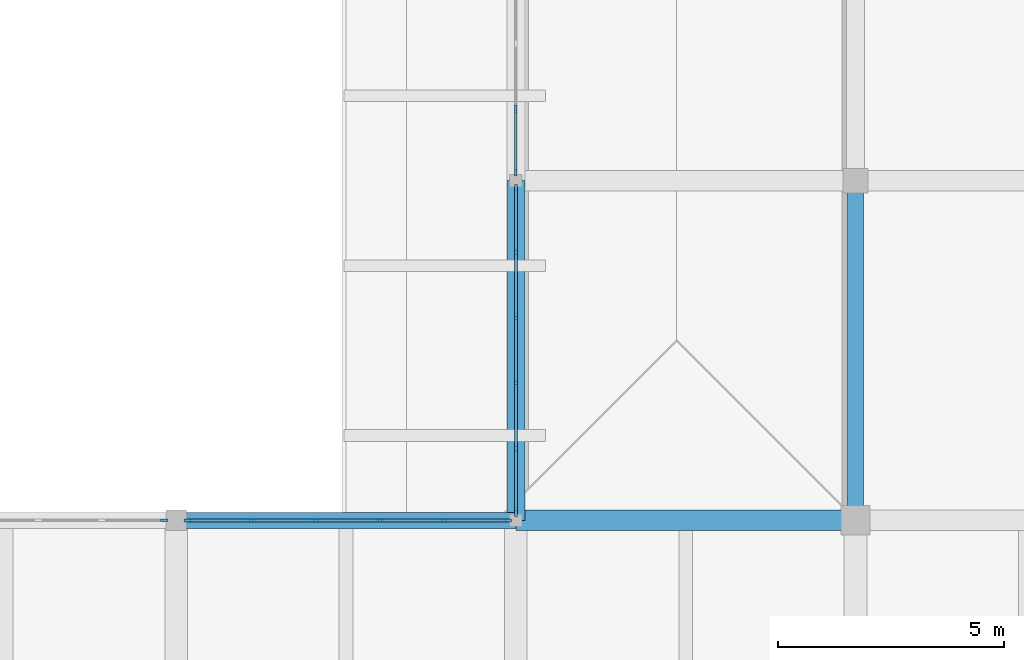
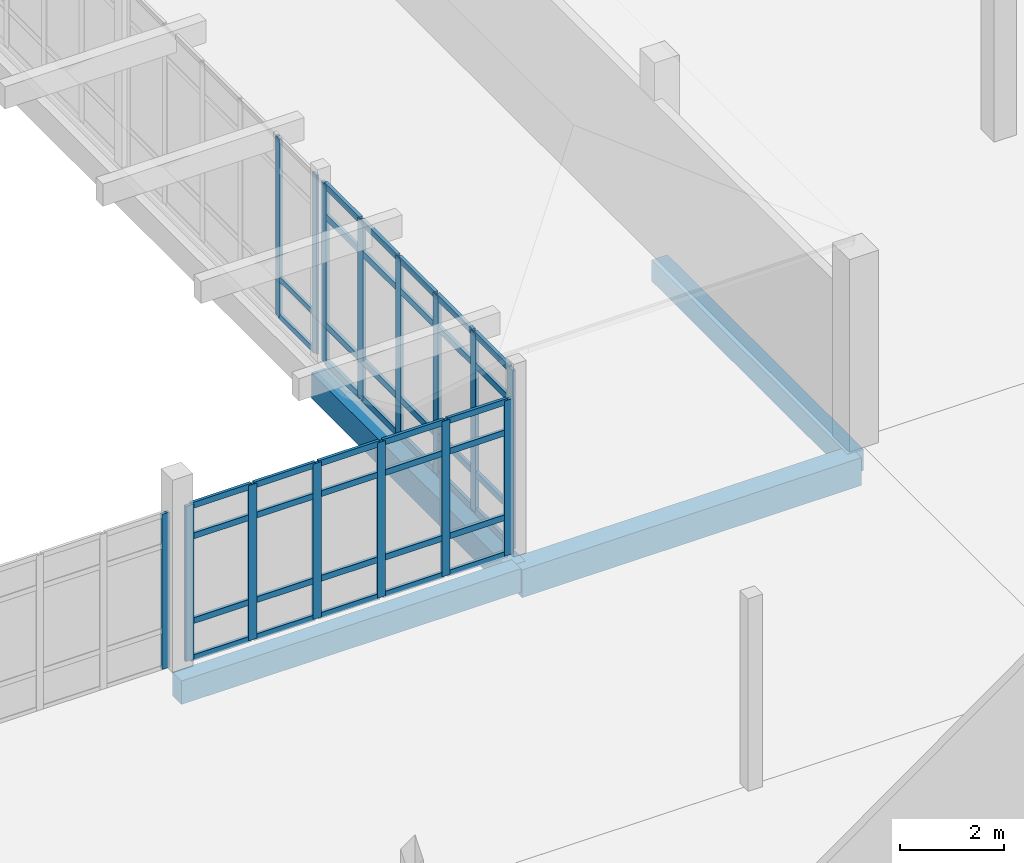
# One storey, part 60 of 128: 57 members, 4 beams, 4 elements without a shape of their own.
"""IFC4 building model written with IfcOpenShell, lengths in metres."""

from ifc_helpers import new_model, si_unit, direction, frame, origin, origin_2d, place, context, subcontext, project, spatial, rectangle, extrude, material, layer, layer_set, material_profile, profile_set, type_object, element, aggregate, save


model = new_model("IFC4")

# Units and contexts
model_context = context("Model", 3, precision=1e-05, world=origin(), true_north=direction((0.0, 1.0)))
body_context = subcontext(model_context, "Body", "Model", "MODEL_VIEW")
ifc_project = project(units=[si_unit("LENGTHUNIT", "METRE"), si_unit("AREAUNIT", "SQUARE_METRE"), si_unit("VOLUMEUNIT", "CUBIC_METRE"), si_unit("PLANEANGLEUNIT", "RADIAN"), si_unit("MASSUNIT", "GRAM", prefix="KILO")], contexts=[model_context])

# Site, building, storey
site_placement = place(None, origin())
site = spatial("IfcSite", under=ifc_project, at=site_placement, CompositionType="ELEMENT")
building_placement = place(site_placement, origin())
building = spatial("IfcBuilding", under=site, at=building_placement, Name="Dalvernix Boulevard General Hospital", CompositionType="ELEMENT")
storey_placement = place(building_placement, frame((0.0, 0.0, 4.800048828125)))
storey = spatial("IfcBuildingStorey", under=building, at=storey_placement, Name="L01", CompositionType="ELEMENT", Elevation=4.800048828125)

# Beams
ifc_material_1 = material(Name="Concrete C35/45", Category="concrete")
ifc_material_profile_1 = material_profile(ifc_material_1, rectangle(XDim=0.449951171875, YDim=0.64990234375, at=origin_2d()), Name="RCB 450x650")
ifc_profile_set_1 = profile_set([ifc_material_profile_1], Name="Concrete C35/45")
beam_type_1 = type_object("IfcBeamType", Name="BM-B-03-I", PredefinedType="BEAM", material=ifc_profile_set_1)
beam_1_placement = place(storey_placement, frame((135.0, 31.5, -0.625), z_axis=(1.0, 0.0, 0.0), x_axis=(0.0, 1.0, 0.0)))
element("IfcBeam", 1, at=beam_1_placement, inside=storey, type_object=beam_type_1, Name="L01 E-W girder E:19-20", PredefinedType="BEAM", context=body_context, shape_type="SweptSolid", body=[
    extrude(rectangle(XDim=0.449951171875, YDim=0.64990234375, at=origin_2d()), origin(), (0.0, 0.0, 1.0), 7.5),
])
ifc_material_profile_2 = material_profile(ifc_material_1, rectangle(XDim=0.35009765625, YDim=0.5, at=origin_2d()), Name="RCB 350x500")
ifc_profile_set_2 = profile_set([ifc_material_profile_2], Name="Concrete C35/45")
beam_type_2 = type_object("IfcBeamType", Name="BM-B-08-I", PredefinedType="BEAM", material=ifc_profile_set_2)
beam_2_placement = place(storey_placement, frame((142.5, 31.5, -0.550048828125), z_axis=(0.0, 1.0, 0.0), x_axis=(-1.0, 0.0, 0.0)))
element("IfcBeam", 2, at=beam_2_placement, inside=storey, type_object=beam_type_2, Name="L01 N-S girder 20:E-F", PredefinedType="BEAM", context=body_context, shape_type="SweptSolid", body=[
    extrude(rectangle(XDim=0.35009765625, YDim=0.5, at=origin_2d()), origin(), (0.0, 0.0, 1.0), 7.5),
])
ifc_material_profile_3 = material_profile(ifc_material_1, rectangle(XDim=0.35009765625, YDim=0.550048828125, at=origin_2d()), Name="RCB 350x550")
ifc_profile_set_3 = profile_set([ifc_material_profile_3], Name="Concrete C35/45")
beam_type_3 = type_object("IfcBeamType", Name="BM-SB-01-E", PredefinedType="SPANDREL", material=ifc_profile_set_3)
beam_3_placement = place(storey_placement, frame((127.5, 31.5, -0.574951171875), z_axis=(1.0, 0.0, 0.0), x_axis=(0.0, 1.0, 0.0)))
element("IfcBeam", 3, at=beam_3_placement, inside=storey, type_object=beam_type_3, Name="L01 E-W girder E:18-19", PredefinedType="SPANDREL", context=body_context, shape_type="SweptSolid", body=[
    extrude(rectangle(XDim=0.35009765625, YDim=0.550048828125, at=origin_2d()), origin(), (0.0, 0.0, 1.0), 7.5),
])
ifc_material_profile_4 = material_profile(ifc_material_1, rectangle(XDim=0.39990234375, YDim=0.60009765625, at=origin_2d()), Name="RCB 400x600")
ifc_profile_set_4 = profile_set([ifc_material_profile_4], Name="Concrete C35/45")
beam_type_4 = type_object("IfcBeamType", Name="BM-SB-02-E", PredefinedType="SPANDREL", material=ifc_profile_set_4)
beam_4_placement = place(storey_placement, frame((135.0, 31.5, -0.60009765625), z_axis=(0.0, 1.0, 0.0), x_axis=(-1.0, 0.0, 0.0)))
element("IfcBeam", 4, at=beam_4_placement, inside=storey, type_object=beam_type_4, Name="L01 N-S girder 19:E-F", PredefinedType="SPANDREL", context=body_context, shape_type="SweptSolid", body=[
    extrude(rectangle(XDim=0.39990234375, YDim=0.60009765625, at=origin_2d()), origin(), (0.0, 0.0, 1.0), 7.5),
])

# Curtain wall, member
ifc_material_2 = material(Name="Thermally broken aluminium and solar-control glass curtain wall", Category="aluminium")
ifc_layer_1 = layer(ifc_material_2, 0.159912109375)
ifc_layer_set_1 = layer_set([ifc_layer_1], Name="Thermally broken aluminium and solar-control glass curtain wall (CW-CW-A-70x36)")
curtain_wall_type_1 = type_object("IfcCurtainWallType", Name="CW-CW-A-70x36", PredefinedType="USERDEFINED", material=ifc_layer_set_1)
curtain_wall_1_placement = place(storey_placement, origin())
curtain_wall_1 = element("IfcCurtainWall", 5, at=curtain_wall_1_placement, inside=storey, type_object=curtain_wall_type_1, Name="L01 curtain wall CW-A-70x36 16-4", ObjectType="GLAZED FACADE", PredefinedType="USERDEFINED")
ifc_material_3 = material(Name="Aluminium EN AW-6060", Category="aluminium")
ifc_material_profile_5 = material_profile(ifc_material_3, rectangle(XDim=0.06005859375, YDim=0.159912109375, at=origin_2d()), Name="ALU MULL 60x160")
ifc_profile_set_5 = profile_set([ifc_material_profile_5], Name="Aluminium EN AW-6060")
member_type_1 = type_object("IfcMemberType", Name="MEM-CW-M1", PredefinedType="MULLION", material=ifc_profile_set_5)
member_1_placement = place(storey_placement, frame((127.235107421875, 31.5, 0.0), z_axis=(0.0, 0.0, 1.0), x_axis=(0.0, 1.0, 0.0)))
member_1 = element("IfcMember", 6, at=member_1_placement, type_object=member_type_1, Name="CW-A-70x36 mullion 6", PredefinedType="MULLION", context=body_context, shape_type="SweptSolid", body=[
    extrude(rectangle(XDim=0.06005859375, YDim=0.159912109375, at=origin_2d()), origin(), (0.0, 0.0, 1.0), 3.6298828125),
])
aggregate(curtain_wall_1, [member_1])

# Curtain wall, members
ifc_layer_2 = layer(ifc_material_2, 0.159912109375)
ifc_layer_set_2 = layer_set([ifc_layer_2], Name="Thermally broken aluminium and solar-control glass curtain wall (CW-CW-A-72x42)")
curtain_wall_type_2 = type_object("IfcCurtainWallType", Name="CW-CW-A-72x42", PredefinedType="USERDEFINED", material=ifc_layer_set_2)
curtain_wall_2_placement = place(storey_placement, origin())
curtain_wall_2 = element("IfcCurtainWall", 7, at=curtain_wall_2_placement, inside=storey, type_object=curtain_wall_type_2, Name="L01 curtain wall CW-A-72x42 18-5", ObjectType="GLAZED FACADE", PredefinedType="USERDEFINED")
member_2_placement = place(storey_placement, frame((135.0, 39.179931640625, 0.0), z_axis=(0.0, 0.0, 1.0), x_axis=(-1.0, 0.0, 0.0)))
member_2 = element("IfcMember", 8, at=member_2_placement, type_object=member_type_1, Name="CW-A-72x42 mullion 1", PredefinedType="MULLION", context=body_context, shape_type="SweptSolid", body=[
    extrude(rectangle(XDim=0.06005859375, YDim=0.159912109375, at=origin_2d()), origin(), (0.0, 0.0, 1.0), 4.179931640625),
])
member_3_placement = place(storey_placement, frame((135.0, 40.590087890625, 0.0), z_axis=(0.0, 0.0, 1.0), x_axis=(-1.0, 0.0, 0.0)))
member_3 = element("IfcMember", 9, at=member_3_placement, type_object=member_type_1, Name="CW-A-72x42 mullion 2", PredefinedType="MULLION", context=body_context, shape_type="SweptSolid", body=[
    extrude(rectangle(XDim=0.06005859375, YDim=0.159912109375, at=origin_2d()), origin(), (0.0, 0.0, 1.0), 4.179931640625),
])

ifc_layer_3 = layer(ifc_material_2, 0.179931640625)
ifc_layer_set_3 = layer_set([ifc_layer_3], Name="Thermally broken aluminium and solar-control glass curtain wall (CW-CW-B-71x36)")
curtain_wall_type_3 = type_object("IfcCurtainWallType", Name="CW-CW-B-71x36", PredefinedType="USERDEFINED", material=ifc_layer_set_3)
curtain_wall_3_placement = place(storey_placement, origin())
curtain_wall_3 = element("IfcCurtainWall", 10, at=curtain_wall_3_placement, inside=storey, type_object=curtain_wall_type_3, Name="L01 curtain wall CW-B-71x36 17-4", ObjectType="GLAZED FACADE", PredefinedType="USERDEFINED")
ifc_material_profile_6 = material_profile(ifc_material_3, rectangle(XDim=0.06494140625, YDim=0.179931640625, at=origin_2d()), Name="ALU MULL 65x180")
ifc_profile_set_6 = profile_set([ifc_material_profile_6], Name="Aluminium EN AW-6060")
member_type_2 = type_object("IfcMemberType", Name="MEM-CW-M2", PredefinedType="MULLION", material=ifc_profile_set_6)
member_4_placement = place(storey_placement, frame((127.767578125, 31.5, 0.0), z_axis=(0.0, 0.0, 1.0), x_axis=(0.0, 1.0, 0.0)))
member_4 = element("IfcMember", 11, at=member_4_placement, type_object=member_type_2, Name="CW-B-71x36 mullion 1", PredefinedType="MULLION", context=body_context, shape_type="SweptSolid", body=[
    extrude(rectangle(XDim=0.06494140625, YDim=0.179931640625, at=origin_2d()), origin(), (0.0, 0.0, 1.0), 3.6298828125),
])
member_5_placement = place(storey_placement, frame((129.157958984375, 31.5, 0.0), z_axis=(0.0, 0.0, 1.0), x_axis=(0.0, 1.0, 0.0)))
member_5 = element("IfcMember", 12, at=member_5_placement, type_object=member_type_2, Name="CW-B-71x36 mullion 2", PredefinedType="MULLION", context=body_context, shape_type="SweptSolid", body=[
    extrude(rectangle(XDim=0.06494140625, YDim=0.179931640625, at=origin_2d()), origin(), (0.0, 0.0, 1.0), 3.6298828125),
])
member_6_placement = place(storey_placement, frame((130.5810546875, 31.5, 0.0), z_axis=(0.0, 0.0, 1.0), x_axis=(0.0, 1.0, 0.0)))
member_6 = element("IfcMember", 13, at=member_6_placement, type_object=member_type_2, Name="CW-B-71x36 mullion 3", PredefinedType="MULLION", context=body_context, shape_type="SweptSolid", body=[
    extrude(rectangle(XDim=0.06494140625, YDim=0.179931640625, at=origin_2d()), origin(), (0.0, 0.0, 1.0), 3.6298828125),
])
member_7_placement = place(storey_placement, frame((132.00390625, 31.5, 0.0), z_axis=(0.0, 0.0, 1.0), x_axis=(0.0, 1.0, 0.0)))
member_7 = element("IfcMember", 14, at=member_7_placement, type_object=member_type_2, Name="CW-B-71x36 mullion 4", PredefinedType="MULLION", context=body_context, shape_type="SweptSolid", body=[
    extrude(rectangle(XDim=0.06494140625, YDim=0.179931640625, at=origin_2d()), origin(), (0.0, 0.0, 1.0), 3.6298828125),
])
member_8_placement = place(storey_placement, frame((133.427001953125, 31.5, 0.0), z_axis=(0.0, 0.0, 1.0), x_axis=(0.0, 1.0, 0.0)))
member_8 = element("IfcMember", 15, at=member_8_placement, type_object=member_type_2, Name="CW-B-71x36 mullion 5", PredefinedType="MULLION", context=body_context, shape_type="SweptSolid", body=[
    extrude(rectangle(XDim=0.06494140625, YDim=0.179931640625, at=origin_2d()), origin(), (0.0, 0.0, 1.0), 3.6298828125),
])
member_9_placement = place(storey_placement, frame((134.8173828125, 31.5, 0.0), z_axis=(0.0, 0.0, 1.0), x_axis=(0.0, 1.0, 0.0)))
member_9 = element("IfcMember", 16, at=member_9_placement, type_object=member_type_2, Name="CW-B-71x36 mullion 6", PredefinedType="MULLION", context=body_context, shape_type="SweptSolid", body=[
    extrude(rectangle(XDim=0.06494140625, YDim=0.179931640625, at=origin_2d()), origin(), (0.0, 0.0, 1.0), 3.6298828125),
])

ifc_layer_4 = layer(ifc_material_2, 0.199951171875)
ifc_layer_set_4 = layer_set([ifc_layer_4], Name="Thermally broken aluminium and solar-control glass curtain wall (CW-CW-C-72x42)")
curtain_wall_type_4 = type_object("IfcCurtainWallType", Name="CW-CW-C-72x42", PredefinedType="USERDEFINED", material=ifc_layer_set_4)
curtain_wall_4_placement = place(storey_placement, origin())
curtain_wall_4 = element("IfcCurtainWall", 17, at=curtain_wall_4_placement, inside=storey, type_object=curtain_wall_type_4, Name="L01 curtain wall CW-C-72x42 18-4", ObjectType="GLAZED FACADE", PredefinedType="USERDEFINED")
ifc_material_profile_7 = material_profile(ifc_material_3, rectangle(XDim=0.070068359375, YDim=0.199951171875, at=origin_2d()), Name="ALU MULL 70x200")
ifc_profile_set_7 = profile_set([ifc_material_profile_7], Name="Aluminium EN AW-6060")
member_type_3 = type_object("IfcMemberType", Name="MEM-CW-M3", PredefinedType="MULLION", material=ifc_profile_set_7)
member_10_placement = place(storey_placement, frame((135.0, 31.68505859375, 0.0), z_axis=(0.0, 0.0, 1.0), x_axis=(-1.0, 0.0, 0.0)))
member_10 = element("IfcMember", 18, at=member_10_placement, type_object=member_type_3, Name="CW-C-72x42 mullion 1", PredefinedType="MULLION", context=body_context, shape_type="SweptSolid", body=[
    extrude(rectangle(XDim=0.070068359375, YDim=0.199951171875, at=origin_2d()), origin(), (0.0, 0.0, 1.0), 4.179931640625),
])
member_11_placement = place(storey_placement, frame((135.0, 33.090087890625, 0.0), z_axis=(0.0, 0.0, 1.0), x_axis=(-1.0, 0.0, 0.0)))
member_11 = element("IfcMember", 19, at=member_11_placement, type_object=member_type_3, Name="CW-C-72x42 mullion 2", PredefinedType="MULLION", context=body_context, shape_type="SweptSolid", body=[
    extrude(rectangle(XDim=0.070068359375, YDim=0.199951171875, at=origin_2d()), origin(), (0.0, 0.0, 1.0), 4.179931640625),
])
member_12_placement = place(storey_placement, frame((135.0, 34.530029296875, 0.0), z_axis=(0.0, 0.0, 1.0), x_axis=(-1.0, 0.0, 0.0)))
member_12 = element("IfcMember", 20, at=member_12_placement, type_object=member_type_3, Name="CW-C-72x42 mullion 3", PredefinedType="MULLION", context=body_context, shape_type="SweptSolid", body=[
    extrude(rectangle(XDim=0.070068359375, YDim=0.199951171875, at=origin_2d()), origin(), (0.0, 0.0, 1.0), 4.179931640625),
])
member_13_placement = place(storey_placement, frame((135.0, 35.969970703125, 0.0), z_axis=(0.0, 0.0, 1.0), x_axis=(-1.0, 0.0, 0.0)))
member_13 = element("IfcMember", 21, at=member_13_placement, type_object=member_type_3, Name="CW-C-72x42 mullion 4", PredefinedType="MULLION", context=body_context, shape_type="SweptSolid", body=[
    extrude(rectangle(XDim=0.070068359375, YDim=0.199951171875, at=origin_2d()), origin(), (0.0, 0.0, 1.0), 4.179931640625),
])
member_14_placement = place(storey_placement, frame((135.0, 37.409912109375, 0.0), z_axis=(0.0, 0.0, 1.0), x_axis=(-1.0, 0.0, 0.0)))
member_14 = element("IfcMember", 22, at=member_14_placement, type_object=member_type_3, Name="CW-C-72x42 mullion 5", PredefinedType="MULLION", context=body_context, shape_type="SweptSolid", body=[
    extrude(rectangle(XDim=0.070068359375, YDim=0.199951171875, at=origin_2d()), origin(), (0.0, 0.0, 1.0), 4.179931640625),
])
member_15_placement = place(storey_placement, frame((135.0, 38.81494140625, 0.0), z_axis=(0.0, 0.0, 1.0), x_axis=(-1.0, 0.0, 0.0)))
member_15 = element("IfcMember", 23, at=member_15_placement, type_object=member_type_3, Name="CW-C-72x42 mullion 6", PredefinedType="MULLION", context=body_context, shape_type="SweptSolid", body=[
    extrude(rectangle(XDim=0.070068359375, YDim=0.199951171875, at=origin_2d()), origin(), (0.0, 0.0, 1.0), 4.179931640625),
])

# Member
ifc_material_profile_8 = material_profile(ifc_material_3, rectangle(XDim=0.06005859375, YDim=0.1201171875, at=origin_2d()), Name="ALU TRAN 60x120")
ifc_profile_set_8 = profile_set([ifc_material_profile_8], Name="Aluminium EN AW-6060")
member_type_4 = type_object("IfcMemberType", Name="MEM-CW-T1", PredefinedType="USERDEFINED", material=ifc_profile_set_8)
member_16_placement = place(storey_placement, frame((135.0, 39.2099609375, 0.030029296875), z_axis=(0.0, 1.0, 0.0), x_axis=(-1.0, 0.0, 0.0)))
member_16 = element("IfcMember", 24, at=member_16_placement, type_object=member_type_4, Name="CW-A-72x42 transom 1.1", ObjectType="TRANSOM", PredefinedType="USERDEFINED", context=body_context, shape_type="SweptSolid", body=[
    extrude(rectangle(XDim=0.06005859375, YDim=0.1201171875, at=origin_2d()), origin(), (0.0, 0.0, 1.0), 1.35009765625),
])

member_17_placement = place(storey_placement, frame((135.0, 39.2099609375, 0.89990234375), z_axis=(0.0, 1.0, 0.0), x_axis=(-1.0, 0.0, 0.0)))
member_17 = element("IfcMember", 25, at=member_17_placement, type_object=member_type_4, Name="CW-A-72x42 transom 1.2", ObjectType="TRANSOM", PredefinedType="USERDEFINED", context=body_context, shape_type="SweptSolid", body=[
    extrude(rectangle(XDim=0.06005859375, YDim=0.1201171875, at=origin_2d()), origin(), (0.0, 0.0, 1.0), 1.35009765625),
])

aggregate(curtain_wall_2, [member_2, member_3, member_16, member_17])

ifc_material_profile_9 = material_profile(ifc_material_3, rectangle(XDim=0.06494140625, YDim=0.139892578125, at=origin_2d()), Name="ALU TRAN 65x140")
ifc_profile_set_9 = profile_set([ifc_material_profile_9], Name="Aluminium EN AW-6060")
member_type_5 = type_object("IfcMemberType", Name="MEM-CW-T2", PredefinedType="USERDEFINED", material=ifc_profile_set_9)
member_18_placement = place(storey_placement, frame((127.800048828125, 31.5, 0.032470703125), z_axis=(1.0, 0.0, 0.0), x_axis=(0.0, 1.0, 0.0)))
member_18 = element("IfcMember", 26, at=member_18_placement, type_object=member_type_5, Name="CW-B-71x36 transom 1.1", ObjectType="TRANSOM", PredefinedType="USERDEFINED", context=body_context, shape_type="SweptSolid", body=[
    extrude(rectangle(XDim=0.06494140625, YDim=0.139892578125, at=origin_2d()), origin(), (0.0, 0.0, 1.0), 1.325439453125),
])

member_19_placement = place(storey_placement, frame((127.800048828125, 31.5, 0.89990234375), z_axis=(1.0, 0.0, 0.0), x_axis=(0.0, 1.0, 0.0)))
member_19 = element("IfcMember", 27, at=member_19_placement, type_object=member_type_5, Name="CW-B-71x36 transom 1.2", ObjectType="TRANSOM", PredefinedType="USERDEFINED", context=body_context, shape_type="SweptSolid", body=[
    extrude(rectangle(XDim=0.06494140625, YDim=0.139892578125, at=origin_2d()), origin(), (0.0, 0.0, 1.0), 1.325439453125),
])

member_20_placement = place(storey_placement, frame((127.800048828125, 31.5, 2.8798828125), z_axis=(1.0, 0.0, 0.0), x_axis=(0.0, 1.0, 0.0)))
member_20 = element("IfcMember", 28, at=member_20_placement, type_object=member_type_5, Name="CW-B-71x36 transom 1.3", ObjectType="TRANSOM", PredefinedType="USERDEFINED", context=body_context, shape_type="SweptSolid", body=[
    extrude(rectangle(XDim=0.06494140625, YDim=0.139892578125, at=origin_2d()), origin(), (0.0, 0.0, 1.0), 1.325439453125),
])

member_21_placement = place(storey_placement, frame((127.800048828125, 31.5, 3.597412109375), z_axis=(1.0, 0.0, 0.0), x_axis=(0.0, 1.0, 0.0)))
member_21 = element("IfcMember", 29, at=member_21_placement, type_object=member_type_5, Name="CW-B-71x36 transom 1.4", ObjectType="TRANSOM", PredefinedType="USERDEFINED", context=body_context, shape_type="SweptSolid", body=[
    extrude(rectangle(XDim=0.06494140625, YDim=0.139892578125, at=origin_2d()), origin(), (0.0, 0.0, 1.0), 1.325439453125),
])

member_22_placement = place(storey_placement, frame((129.1904296875, 31.5, 0.032470703125), z_axis=(1.0, 0.0, 0.0), x_axis=(0.0, 1.0, 0.0)))
member_22 = element("IfcMember", 30, at=member_22_placement, type_object=member_type_5, Name="CW-B-71x36 transom 2.1", ObjectType="TRANSOM", PredefinedType="USERDEFINED", context=body_context, shape_type="SweptSolid", body=[
    extrude(rectangle(XDim=0.06494140625, YDim=0.139892578125, at=origin_2d()), origin(), (0.0, 0.0, 1.0), 1.358154296875),
])

member_23_placement = place(storey_placement, frame((129.1904296875, 31.5, 0.89990234375), z_axis=(1.0, 0.0, 0.0), x_axis=(0.0, 1.0, 0.0)))
member_23 = element("IfcMember", 31, at=member_23_placement, type_object=member_type_5, Name="CW-B-71x36 transom 2.2", ObjectType="TRANSOM", PredefinedType="USERDEFINED", context=body_context, shape_type="SweptSolid", body=[
    extrude(rectangle(XDim=0.06494140625, YDim=0.139892578125, at=origin_2d()), origin(), (0.0, 0.0, 1.0), 1.358154296875),
])

member_24_placement = place(storey_placement, frame((129.1904296875, 31.5, 2.8798828125), z_axis=(1.0, 0.0, 0.0), x_axis=(0.0, 1.0, 0.0)))
member_24 = element("IfcMember", 32, at=member_24_placement, type_object=member_type_5, Name="CW-B-71x36 transom 2.3", ObjectType="TRANSOM", PredefinedType="USERDEFINED", context=body_context, shape_type="SweptSolid", body=[
    extrude(rectangle(XDim=0.06494140625, YDim=0.139892578125, at=origin_2d()), origin(), (0.0, 0.0, 1.0), 1.358154296875),
])

member_25_placement = place(storey_placement, frame((129.1904296875, 31.5, 3.597412109375), z_axis=(1.0, 0.0, 0.0), x_axis=(0.0, 1.0, 0.0)))
member_25 = element("IfcMember", 33, at=member_25_placement, type_object=member_type_5, Name="CW-B-71x36 transom 2.4", ObjectType="TRANSOM", PredefinedType="USERDEFINED", context=body_context, shape_type="SweptSolid", body=[
    extrude(rectangle(XDim=0.06494140625, YDim=0.139892578125, at=origin_2d()), origin(), (0.0, 0.0, 1.0), 1.358154296875),
])

member_26_placement = place(storey_placement, frame((130.613525390625, 31.5, 0.032470703125), z_axis=(1.0, 0.0, 0.0), x_axis=(0.0, 1.0, 0.0)))
member_26 = element("IfcMember", 34, at=member_26_placement, type_object=member_type_5, Name="CW-B-71x36 transom 3.1", ObjectType="TRANSOM", PredefinedType="USERDEFINED", context=body_context, shape_type="SweptSolid", body=[
    extrude(rectangle(XDim=0.06494140625, YDim=0.139892578125, at=origin_2d()), origin(), (0.0, 0.0, 1.0), 1.35791015625),
])

member_27_placement = place(storey_placement, frame((130.613525390625, 31.5, 0.89990234375), z_axis=(1.0, 0.0, 0.0), x_axis=(0.0, 1.0, 0.0)))
member_27 = element("IfcMember", 35, at=member_27_placement, type_object=member_type_5, Name="CW-B-71x36 transom 3.2", ObjectType="TRANSOM", PredefinedType="USERDEFINED", context=body_context, shape_type="SweptSolid", body=[
    extrude(rectangle(XDim=0.06494140625, YDim=0.139892578125, at=origin_2d()), origin(), (0.0, 0.0, 1.0), 1.35791015625),
])

member_28_placement = place(storey_placement, frame((130.613525390625, 31.5, 2.8798828125), z_axis=(1.0, 0.0, 0.0), x_axis=(0.0, 1.0, 0.0)))
member_28 = element("IfcMember", 36, at=member_28_placement, type_object=member_type_5, Name="CW-B-71x36 transom 3.3", ObjectType="TRANSOM", PredefinedType="USERDEFINED", context=body_context, shape_type="SweptSolid", body=[
    extrude(rectangle(XDim=0.06494140625, YDim=0.139892578125, at=origin_2d()), origin(), (0.0, 0.0, 1.0), 1.35791015625),
])

member_29_placement = place(storey_placement, frame((130.613525390625, 31.5, 3.597412109375), z_axis=(1.0, 0.0, 0.0), x_axis=(0.0, 1.0, 0.0)))
member_29 = element("IfcMember", 37, at=member_29_placement, type_object=member_type_5, Name="CW-B-71x36 transom 3.4", ObjectType="TRANSOM", PredefinedType="USERDEFINED", context=body_context, shape_type="SweptSolid", body=[
    extrude(rectangle(XDim=0.06494140625, YDim=0.139892578125, at=origin_2d()), origin(), (0.0, 0.0, 1.0), 1.35791015625),
])

member_30_placement = place(storey_placement, frame((132.03662109375, 31.5, 0.032470703125), z_axis=(1.0, 0.0, 0.0), x_axis=(0.0, 1.0, 0.0)))
member_30 = element("IfcMember", 38, at=member_30_placement, type_object=member_type_5, Name="CW-B-71x36 transom 4.1", ObjectType="TRANSOM", PredefinedType="USERDEFINED", context=body_context, shape_type="SweptSolid", body=[
    extrude(rectangle(XDim=0.06494140625, YDim=0.139892578125, at=origin_2d()), origin(), (0.0, 0.0, 1.0), 1.35791015625),
])

member_31_placement = place(storey_placement, frame((132.03662109375, 31.5, 0.89990234375), z_axis=(1.0, 0.0, 0.0), x_axis=(0.0, 1.0, 0.0)))
member_31 = element("IfcMember", 39, at=member_31_placement, type_object=member_type_5, Name="CW-B-71x36 transom 4.2", ObjectType="TRANSOM", PredefinedType="USERDEFINED", context=body_context, shape_type="SweptSolid", body=[
    extrude(rectangle(XDim=0.06494140625, YDim=0.139892578125, at=origin_2d()), origin(), (0.0, 0.0, 1.0), 1.35791015625),
])

member_32_placement = place(storey_placement, frame((132.03662109375, 31.5, 2.8798828125), z_axis=(1.0, 0.0, 0.0), x_axis=(0.0, 1.0, 0.0)))
member_32 = element("IfcMember", 40, at=member_32_placement, type_object=member_type_5, Name="CW-B-71x36 transom 4.3", ObjectType="TRANSOM", PredefinedType="USERDEFINED", context=body_context, shape_type="SweptSolid", body=[
    extrude(rectangle(XDim=0.06494140625, YDim=0.139892578125, at=origin_2d()), origin(), (0.0, 0.0, 1.0), 1.35791015625),
])

member_33_placement = place(storey_placement, frame((132.03662109375, 31.5, 3.597412109375), z_axis=(1.0, 0.0, 0.0), x_axis=(0.0, 1.0, 0.0)))
member_33 = element("IfcMember", 41, at=member_33_placement, type_object=member_type_5, Name="CW-B-71x36 transom 4.4", ObjectType="TRANSOM", PredefinedType="USERDEFINED", context=body_context, shape_type="SweptSolid", body=[
    extrude(rectangle(XDim=0.06494140625, YDim=0.139892578125, at=origin_2d()), origin(), (0.0, 0.0, 1.0), 1.35791015625),
])

member_34_placement = place(storey_placement, frame((133.45947265625, 31.5, 0.032470703125), z_axis=(1.0, 0.0, 0.0), x_axis=(0.0, 1.0, 0.0)))
member_34 = element("IfcMember", 42, at=member_34_placement, type_object=member_type_5, Name="CW-B-71x36 transom 5.1", ObjectType="TRANSOM", PredefinedType="USERDEFINED", context=body_context, shape_type="SweptSolid", body=[
    extrude(rectangle(XDim=0.06494140625, YDim=0.139892578125, at=origin_2d()), origin(), (0.0, 0.0, 1.0), 1.325439453125),
])

member_35_placement = place(storey_placement, frame((133.45947265625, 31.5, 0.89990234375), z_axis=(1.0, 0.0, 0.0), x_axis=(0.0, 1.0, 0.0)))
member_35 = element("IfcMember", 43, at=member_35_placement, type_object=member_type_5, Name="CW-B-71x36 transom 5.2", ObjectType="TRANSOM", PredefinedType="USERDEFINED", context=body_context, shape_type="SweptSolid", body=[
    extrude(rectangle(XDim=0.06494140625, YDim=0.139892578125, at=origin_2d()), origin(), (0.0, 0.0, 1.0), 1.325439453125),
])

member_36_placement = place(storey_placement, frame((133.45947265625, 31.5, 2.8798828125), z_axis=(1.0, 0.0, 0.0), x_axis=(0.0, 1.0, 0.0)))
member_36 = element("IfcMember", 44, at=member_36_placement, type_object=member_type_5, Name="CW-B-71x36 transom 5.3", ObjectType="TRANSOM", PredefinedType="USERDEFINED", context=body_context, shape_type="SweptSolid", body=[
    extrude(rectangle(XDim=0.06494140625, YDim=0.139892578125, at=origin_2d()), origin(), (0.0, 0.0, 1.0), 1.325439453125),
])

member_37_placement = place(storey_placement, frame((133.45947265625, 31.5, 3.597412109375), z_axis=(1.0, 0.0, 0.0), x_axis=(0.0, 1.0, 0.0)))
member_37 = element("IfcMember", 45, at=member_37_placement, type_object=member_type_5, Name="CW-B-71x36 transom 5.4", ObjectType="TRANSOM", PredefinedType="USERDEFINED", context=body_context, shape_type="SweptSolid", body=[
    extrude(rectangle(XDim=0.06494140625, YDim=0.139892578125, at=origin_2d()), origin(), (0.0, 0.0, 1.0), 1.325439453125),
])

aggregate(curtain_wall_3, [member_4, member_5, member_6, member_7, member_8, member_9, member_18, member_19, member_20, member_21, member_22, member_23, member_24, member_25, member_26, member_27, member_28, member_29, member_30, member_31, member_32, member_33, member_34, member_35, member_36, member_37])

ifc_material_profile_10 = material_profile(ifc_material_3, rectangle(XDim=0.070068359375, YDim=0.14990234375, at=origin_2d()), Name="ALU TRAN 70x150")
ifc_profile_set_10 = profile_set([ifc_material_profile_10], Name="Aluminium EN AW-6060")
member_type_6 = type_object("IfcMemberType", Name="MEM-CW-T3", PredefinedType="USERDEFINED", material=ifc_profile_set_10)
member_38_placement = place(storey_placement, frame((135.0, 31.719970703125, 0.034912109375), z_axis=(0.0, 1.0, 0.0), x_axis=(-1.0, 0.0, 0.0)))
member_38 = element("IfcMember", 46, at=member_38_placement, type_object=member_type_6, Name="CW-C-72x42 transom 1.1", ObjectType="TRANSOM", PredefinedType="USERDEFINED", context=body_context, shape_type="SweptSolid", body=[
    extrude(rectangle(XDim=0.070068359375, YDim=0.14990234375, at=origin_2d()), origin(), (0.0, 0.0, 1.0), 1.3349609375),
])

member_39_placement = place(storey_placement, frame((135.0, 31.719970703125, 0.89990234375), z_axis=(0.0, 1.0, 0.0), x_axis=(-1.0, 0.0, 0.0)))
member_39 = element("IfcMember", 47, at=member_39_placement, type_object=member_type_6, Name="CW-C-72x42 transom 1.2", ObjectType="TRANSOM", PredefinedType="USERDEFINED", context=body_context, shape_type="SweptSolid", body=[
    extrude(rectangle(XDim=0.070068359375, YDim=0.14990234375, at=origin_2d()), origin(), (0.0, 0.0, 1.0), 1.3349609375),
])

member_40_placement = place(storey_placement, frame((135.0, 31.719970703125, 3.429931640625), z_axis=(0.0, 1.0, 0.0), x_axis=(-1.0, 0.0, 0.0)))
member_40 = element("IfcMember", 48, at=member_40_placement, type_object=member_type_6, Name="CW-C-72x42 transom 1.3", ObjectType="TRANSOM", PredefinedType="USERDEFINED", context=body_context, shape_type="SweptSolid", body=[
    extrude(rectangle(XDim=0.070068359375, YDim=0.14990234375, at=origin_2d()), origin(), (0.0, 0.0, 1.0), 1.3349609375),
])

member_41_placement = place(storey_placement, frame((135.0, 31.719970703125, 4.14501953125), z_axis=(0.0, 1.0, 0.0), x_axis=(-1.0, 0.0, 0.0)))
member_41 = element("IfcMember", 49, at=member_41_placement, type_object=member_type_6, Name="CW-C-72x42 transom 1.4", ObjectType="TRANSOM", PredefinedType="USERDEFINED", context=body_context, shape_type="SweptSolid", body=[
    extrude(rectangle(XDim=0.070068359375, YDim=0.14990234375, at=origin_2d()), origin(), (0.0, 0.0, 1.0), 1.3349609375),
])

member_42_placement = place(storey_placement, frame((135.0, 33.125, 0.034912109375), z_axis=(0.0, 1.0, 0.0), x_axis=(-1.0, 0.0, 0.0)))
member_42 = element("IfcMember", 50, at=member_42_placement, type_object=member_type_6, Name="CW-C-72x42 transom 2.1", ObjectType="TRANSOM", PredefinedType="USERDEFINED", context=body_context, shape_type="SweptSolid", body=[
    extrude(rectangle(XDim=0.070068359375, YDim=0.14990234375, at=origin_2d()), origin(), (0.0, 0.0, 1.0), 1.3701171875),
])

member_43_placement = place(storey_placement, frame((135.0, 33.125, 0.89990234375), z_axis=(0.0, 1.0, 0.0), x_axis=(-1.0, 0.0, 0.0)))
member_43 = element("IfcMember", 51, at=member_43_placement, type_object=member_type_6, Name="CW-C-72x42 transom 2.2", ObjectType="TRANSOM", PredefinedType="USERDEFINED", context=body_context, shape_type="SweptSolid", body=[
    extrude(rectangle(XDim=0.070068359375, YDim=0.14990234375, at=origin_2d()), origin(), (0.0, 0.0, 1.0), 1.3701171875),
])

member_44_placement = place(storey_placement, frame((135.0, 33.125, 3.429931640625), z_axis=(0.0, 1.0, 0.0), x_axis=(-1.0, 0.0, 0.0)))
member_44 = element("IfcMember", 52, at=member_44_placement, type_object=member_type_6, Name="CW-C-72x42 transom 2.3", ObjectType="TRANSOM", PredefinedType="USERDEFINED", context=body_context, shape_type="SweptSolid", body=[
    extrude(rectangle(XDim=0.070068359375, YDim=0.14990234375, at=origin_2d()), origin(), (0.0, 0.0, 1.0), 1.3701171875),
])

member_45_placement = place(storey_placement, frame((135.0, 33.125, 4.14501953125), z_axis=(0.0, 1.0, 0.0), x_axis=(-1.0, 0.0, 0.0)))
member_45 = element("IfcMember", 53, at=member_45_placement, type_object=member_type_6, Name="CW-C-72x42 transom 2.4", ObjectType="TRANSOM", PredefinedType="USERDEFINED", context=body_context, shape_type="SweptSolid", body=[
    extrude(rectangle(XDim=0.070068359375, YDim=0.14990234375, at=origin_2d()), origin(), (0.0, 0.0, 1.0), 1.3701171875),
])

member_46_placement = place(storey_placement, frame((135.0, 34.56494140625, 0.034912109375), z_axis=(0.0, 1.0, 0.0), x_axis=(-1.0, 0.0, 0.0)))
member_46 = element("IfcMember", 54, at=member_46_placement, type_object=member_type_6, Name="CW-C-72x42 transom 3.1", ObjectType="TRANSOM", PredefinedType="USERDEFINED", context=body_context, shape_type="SweptSolid", body=[
    extrude(rectangle(XDim=0.070068359375, YDim=0.14990234375, at=origin_2d()), origin(), (0.0, 0.0, 1.0), 1.3701171875),
])

member_47_placement = place(storey_placement, frame((135.0, 34.56494140625, 0.89990234375), z_axis=(0.0, 1.0, 0.0), x_axis=(-1.0, 0.0, 0.0)))
member_47 = element("IfcMember", 55, at=member_47_placement, type_object=member_type_6, Name="CW-C-72x42 transom 3.2", ObjectType="TRANSOM", PredefinedType="USERDEFINED", context=body_context, shape_type="SweptSolid", body=[
    extrude(rectangle(XDim=0.070068359375, YDim=0.14990234375, at=origin_2d()), origin(), (0.0, 0.0, 1.0), 1.3701171875),
])

member_48_placement = place(storey_placement, frame((135.0, 34.56494140625, 3.429931640625), z_axis=(0.0, 1.0, 0.0), x_axis=(-1.0, 0.0, 0.0)))
member_48 = element("IfcMember", 56, at=member_48_placement, type_object=member_type_6, Name="CW-C-72x42 transom 3.3", ObjectType="TRANSOM", PredefinedType="USERDEFINED", context=body_context, shape_type="SweptSolid", body=[
    extrude(rectangle(XDim=0.070068359375, YDim=0.14990234375, at=origin_2d()), origin(), (0.0, 0.0, 1.0), 1.3701171875),
])

member_49_placement = place(storey_placement, frame((135.0, 34.56494140625, 4.14501953125), z_axis=(0.0, 1.0, 0.0), x_axis=(-1.0, 0.0, 0.0)))
member_49 = element("IfcMember", 57, at=member_49_placement, type_object=member_type_6, Name="CW-C-72x42 transom 3.4", ObjectType="TRANSOM", PredefinedType="USERDEFINED", context=body_context, shape_type="SweptSolid", body=[
    extrude(rectangle(XDim=0.070068359375, YDim=0.14990234375, at=origin_2d()), origin(), (0.0, 0.0, 1.0), 1.3701171875),
])

member_50_placement = place(storey_placement, frame((135.0, 36.0048828125, 0.034912109375), z_axis=(0.0, 1.0, 0.0), x_axis=(-1.0, 0.0, 0.0)))
member_50 = element("IfcMember", 58, at=member_50_placement, type_object=member_type_6, Name="CW-C-72x42 transom 4.1", ObjectType="TRANSOM", PredefinedType="USERDEFINED", context=body_context, shape_type="SweptSolid", body=[
    extrude(rectangle(XDim=0.070068359375, YDim=0.14990234375, at=origin_2d()), origin(), (0.0, 0.0, 1.0), 1.3701171875),
])

member_51_placement = place(storey_placement, frame((135.0, 36.0048828125, 0.89990234375), z_axis=(0.0, 1.0, 0.0), x_axis=(-1.0, 0.0, 0.0)))
member_51 = element("IfcMember", 59, at=member_51_placement, type_object=member_type_6, Name="CW-C-72x42 transom 4.2", ObjectType="TRANSOM", PredefinedType="USERDEFINED", context=body_context, shape_type="SweptSolid", body=[
    extrude(rectangle(XDim=0.070068359375, YDim=0.14990234375, at=origin_2d()), origin(), (0.0, 0.0, 1.0), 1.3701171875),
])

member_52_placement = place(storey_placement, frame((135.0, 36.0048828125, 3.429931640625), z_axis=(0.0, 1.0, 0.0), x_axis=(-1.0, 0.0, 0.0)))
member_52 = element("IfcMember", 60, at=member_52_placement, type_object=member_type_6, Name="CW-C-72x42 transom 4.3", ObjectType="TRANSOM", PredefinedType="USERDEFINED", context=body_context, shape_type="SweptSolid", body=[
    extrude(rectangle(XDim=0.070068359375, YDim=0.14990234375, at=origin_2d()), origin(), (0.0, 0.0, 1.0), 1.3701171875),
])

member_53_placement = place(storey_placement, frame((135.0, 36.0048828125, 4.14501953125), z_axis=(0.0, 1.0, 0.0), x_axis=(-1.0, 0.0, 0.0)))
member_53 = element("IfcMember", 61, at=member_53_placement, type_object=member_type_6, Name="CW-C-72x42 transom 4.4", ObjectType="TRANSOM", PredefinedType="USERDEFINED", context=body_context, shape_type="SweptSolid", body=[
    extrude(rectangle(XDim=0.070068359375, YDim=0.14990234375, at=origin_2d()), origin(), (0.0, 0.0, 1.0), 1.3701171875),
])

member_54_placement = place(storey_placement, frame((135.0, 37.445068359375, 0.034912109375), z_axis=(0.0, 1.0, 0.0), x_axis=(-1.0, 0.0, 0.0)))
member_54 = element("IfcMember", 62, at=member_54_placement, type_object=member_type_6, Name="CW-C-72x42 transom 5.1", ObjectType="TRANSOM", PredefinedType="USERDEFINED", context=body_context, shape_type="SweptSolid", body=[
    extrude(rectangle(XDim=0.070068359375, YDim=0.14990234375, at=origin_2d()), origin(), (0.0, 0.0, 1.0), 1.3349609375),
])

member_55_placement = place(storey_placement, frame((135.0, 37.445068359375, 0.89990234375), z_axis=(0.0, 1.0, 0.0), x_axis=(-1.0, 0.0, 0.0)))
member_55 = element("IfcMember", 63, at=member_55_placement, type_object=member_type_6, Name="CW-C-72x42 transom 5.2", ObjectType="TRANSOM", PredefinedType="USERDEFINED", context=body_context, shape_type="SweptSolid", body=[
    extrude(rectangle(XDim=0.070068359375, YDim=0.14990234375, at=origin_2d()), origin(), (0.0, 0.0, 1.0), 1.3349609375),
])

member_56_placement = place(storey_placement, frame((135.0, 37.445068359375, 3.429931640625), z_axis=(0.0, 1.0, 0.0), x_axis=(-1.0, 0.0, 0.0)))
member_56 = element("IfcMember", 64, at=member_56_placement, type_object=member_type_6, Name="CW-C-72x42 transom 5.3", ObjectType="TRANSOM", PredefinedType="USERDEFINED", context=body_context, shape_type="SweptSolid", body=[
    extrude(rectangle(XDim=0.070068359375, YDim=0.14990234375, at=origin_2d()), origin(), (0.0, 0.0, 1.0), 1.3349609375),
])

member_57_placement = place(storey_placement, frame((135.0, 37.445068359375, 4.14501953125), z_axis=(0.0, 1.0, 0.0), x_axis=(-1.0, 0.0, 0.0)))
member_57 = element("IfcMember", 65, at=member_57_placement, type_object=member_type_6, Name="CW-C-72x42 transom 5.4", ObjectType="TRANSOM", PredefinedType="USERDEFINED", context=body_context, shape_type="SweptSolid", body=[
    extrude(rectangle(XDim=0.070068359375, YDim=0.14990234375, at=origin_2d()), origin(), (0.0, 0.0, 1.0), 1.3349609375),
])

aggregate(curtain_wall_4, [member_10, member_11, member_12, member_13, member_14, member_15, member_38, member_39, member_40, member_41, member_42, member_43, member_44, member_45, member_46, member_47, member_48, member_49, member_50, member_51, member_52, member_53, member_54, member_55, member_56, member_57])

save(model, "model.ifc")
